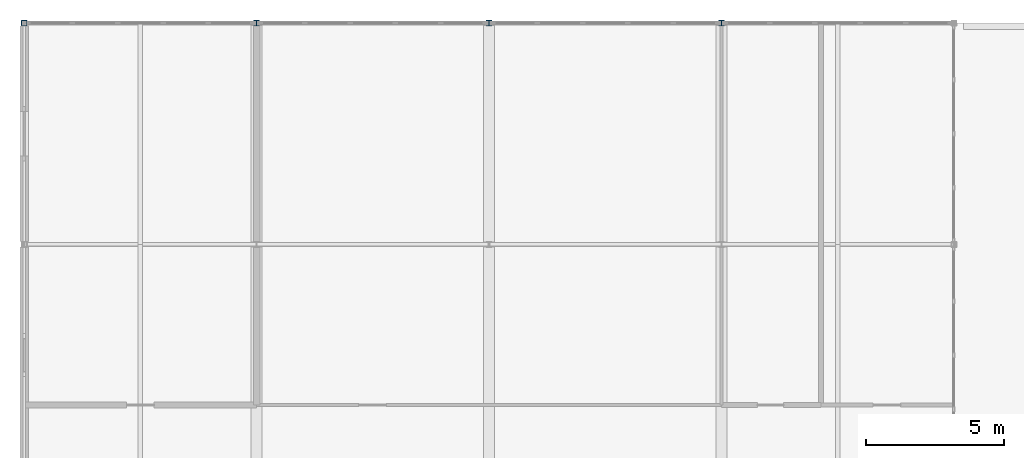
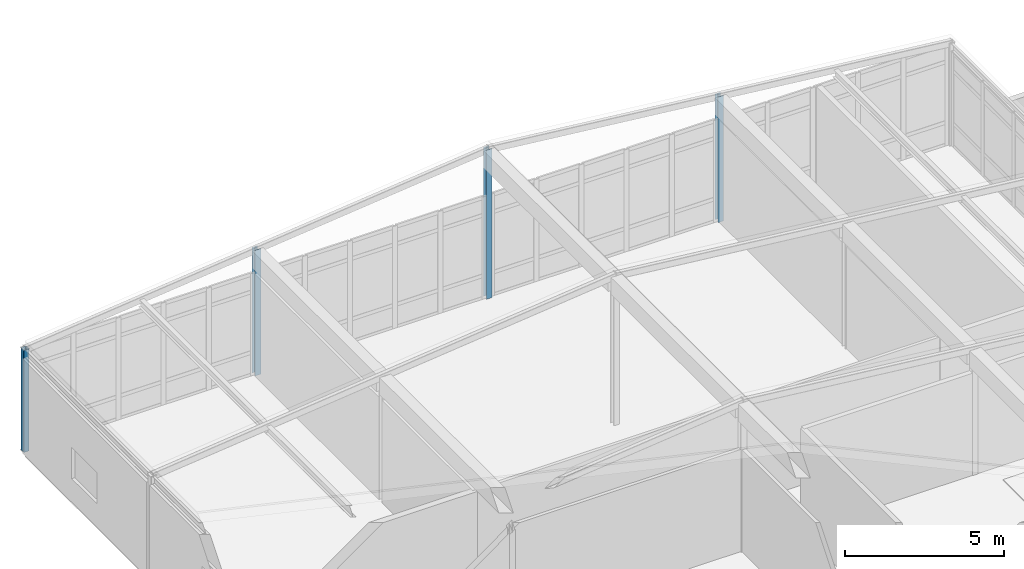
# One storey, part 7 of 25: 4 columns.
"""IFC4 building model written with IfcOpenShell, lengths in metres."""

from ifc_helpers import new_model, si_unit, direction, frame, origin, origin_2d, place, context, subcontext, project, spatial, hollow_rectangle, i_section, extrude, material, material_profile, profile_set, type_object, element, save


model = new_model("IFC4")

# Units and contexts
model_context = context("Model", 3, precision=1e-05, world=origin(), true_north=direction((0.0, 1.0)))
body_context = subcontext(model_context, "Body", "Model", "MODEL_VIEW")
ifc_project = project(units=[si_unit("LENGTHUNIT", "METRE"), si_unit("AREAUNIT", "SQUARE_METRE"), si_unit("VOLUMEUNIT", "CUBIC_METRE"), si_unit("PLANEANGLEUNIT", "RADIAN"), si_unit("MASSUNIT", "GRAM", prefix="KILO")], contexts=[model_context])

# Site, building, storey
site_placement = place(None, origin())
site = spatial("IfcSite", under=ifc_project, at=site_placement, CompositionType="ELEMENT")
building_placement = place(site_placement, origin())
building = spatial("IfcBuilding", under=site, at=building_placement, Name="Kranzveld Transit Interchange", CompositionType="ELEMENT")
storey_placement = place(building_placement, frame((0.0, 0.0, 21.0400390625)))
storey = spatial("IfcBuildingStorey", under=building, at=storey_placement, Name="L05", CompositionType="ELEMENT", Elevation=21.0400390625)

# Columns
ifc_material_1 = material(Name="Steel S355JR", Category="steel")
ifc_material_profile_1 = material_profile(ifc_material_1, i_section(OverallWidth=0.20361328125, OverallDepth=0.203125, WebThickness=0.007080078125, FlangeThickness=0.010986328125, FilletRadius=0.01025390625, at=origin_2d()), Name="UC 203x203x46")
ifc_profile_set_1 = profile_set([ifc_material_profile_1], Name="Steel S355JR")
column_type_1 = type_object("IfcColumnType", Name="Column Steel UC 203x203x46 S355JR", PredefinedType="COLUMN", material=ifc_profile_set_1)
column_1_placement = place(storey_placement, frame((8.39990234375, 112.0, 0.0), z_axis=(0.0, 0.0, 1.0), x_axis=(1.0, 0.0, 0.0)))
element("IfcColumn", 1, at=column_1_placement, inside=storey, type_object=column_type_1, Name="L05 Column 02/Q", PredefinedType="COLUMN", context=body_context, shape_type="SweptSolid", body=[
    extrude(i_section(OverallWidth=0.20361328125, OverallDepth=0.203125, WebThickness=0.007080078125, FlangeThickness=0.010986328125, FilletRadius=0.01025390625, at=origin_2d()), origin(), (0.0, 0.0, 1.0), 4.820068359375),
])
column_2_placement = place(storey_placement, frame((16.800048828125, 112.0, 0.0), z_axis=(0.0, 0.0, 1.0), x_axis=(1.0, 0.0, 0.0)))
element("IfcColumn", 2, at=column_2_placement, inside=storey, type_object=column_type_1, Name="L05 Column 03/Q", PredefinedType="COLUMN", context=body_context, shape_type="SweptSolid", body=[
    extrude(i_section(OverallWidth=0.20361328125, OverallDepth=0.203125, WebThickness=0.007080078125, FlangeThickness=0.010986328125, FilletRadius=0.01025390625, at=origin_2d()), origin(), (0.0, 0.0, 1.0), 5.719970703125),
])
column_3_placement = place(storey_placement, frame((25.199951171875, 112.0, 0.0), z_axis=(0.0, 0.0, 1.0), x_axis=(1.0, 0.0, 0.0)))
element("IfcColumn", 3, at=column_3_placement, inside=storey, type_object=column_type_1, Name="L05 Column 04/Q", PredefinedType="COLUMN", context=body_context, shape_type="SweptSolid", body=[
    extrude(i_section(OverallWidth=0.20361328125, OverallDepth=0.203125, WebThickness=0.007080078125, FlangeThickness=0.010986328125, FilletRadius=0.01025390625, at=origin_2d()), origin(), (0.0, 0.0, 1.0), 4.820068359375),
])
ifc_material_2 = material(Name="Steel S355JR", Category="steel")
ifc_material_profile_2 = material_profile(ifc_material_2, hollow_rectangle(XDim=0.199951171875, YDim=0.199951171875, WallThickness=0.010009765625, InnerFilletRadius=0.014892578125, OuterFilletRadius=0.02490234375, at=origin_2d()), Name="SHS 200x200x10")
ifc_profile_set_2 = profile_set([ifc_material_profile_2], Name="Steel S355JR")
column_type_2 = type_object("IfcColumnType", Name="Pavilion Post SHS 200x200x10 S355JR", PredefinedType="COLUMN", material=ifc_profile_set_2)
column_4_placement = place(storey_placement, frame((0.0, 112.0, 0.0), z_axis=(0.0, 0.0, 1.0), x_axis=(1.0, 0.0, 0.0)))
element("IfcColumn", 4, at=column_4_placement, inside=storey, type_object=column_type_2, Name="L05 Column 01/Q", PredefinedType="COLUMN", context=body_context, shape_type="SweptSolid", body=[
    extrude(hollow_rectangle(XDim=0.199951171875, YDim=0.199951171875, WallThickness=0.010009765625, InnerFilletRadius=0.014892578125, OuterFilletRadius=0.02490234375, at=origin_2d()), origin(), (0.0, 0.0, 1.0), 3.919921875),
])

save(model, "model.ifc")
